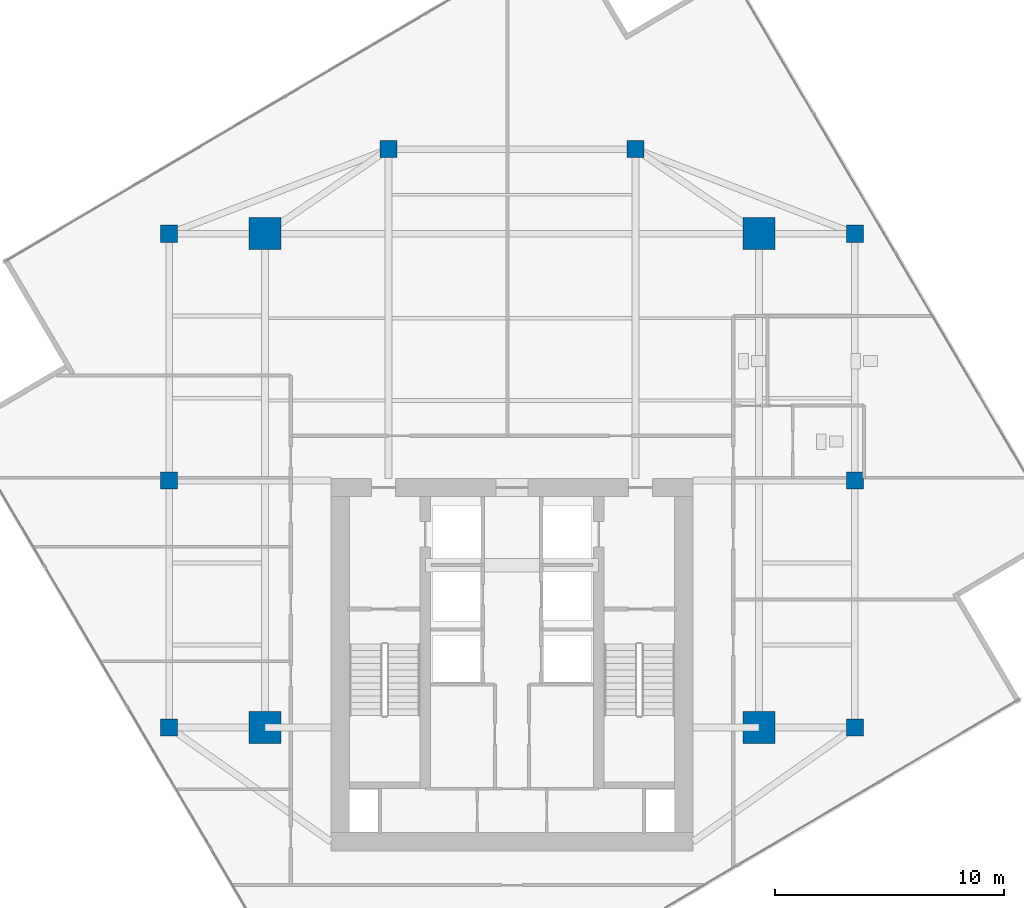
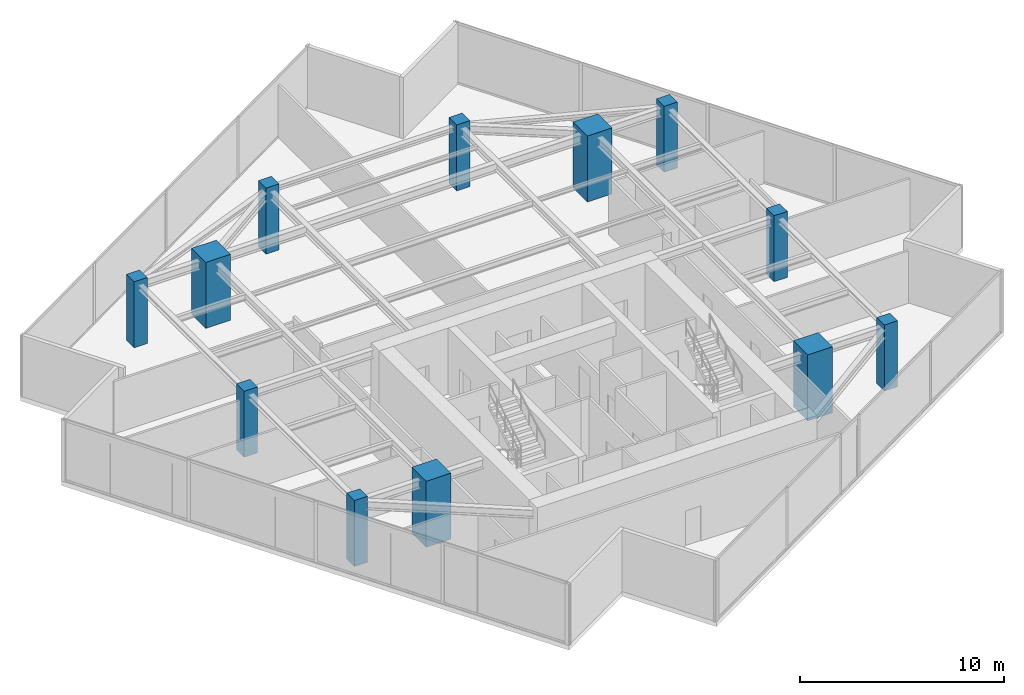
# One storey, part 1 of 20: 12 columns.
"""IFC4 building model written with IfcOpenShell, lengths in metres."""

from ifc_helpers import new_model, si_unit, direction, frame, origin, origin_2d, place, context, subcontext, project, spatial, rectangle, extrude, source, transform, mapped, material, material_profile, profile_set, type_object, type_shapes, element, save


model = new_model("IFC4")

# Units and contexts
model_context = context("Model", 3, precision=1e-05, world=origin(), true_north=direction((0.0, 1.0)))
body_context = subcontext(model_context, "Body", "Model", "MODEL_VIEW")
ifc_project = project(units=[si_unit("LENGTHUNIT", "METRE"), si_unit("AREAUNIT", "SQUARE_METRE"), si_unit("VOLUMEUNIT", "CUBIC_METRE"), si_unit("PLANEANGLEUNIT", "RADIAN"), si_unit("MASSUNIT", "GRAM", prefix="KILO")], contexts=[model_context])

# Site, building, storey
site_placement = place(None, origin())
site = spatial("IfcSite", under=ifc_project, at=site_placement, CompositionType="ELEMENT")
building_placement = place(site_placement, origin())
building = spatial("IfcBuilding", under=site, at=building_placement, Name="Krantzveldt Concourse Tower", CompositionType="ELEMENT")
storey_placement = place(building_placement, frame((0.0, 0.0, 299.0)))
storey = spatial("IfcBuildingStorey", under=building, at=storey_placement, Name="L73", CompositionType="ELEMENT", Elevation=299.0)

# Columns
ifc_material = material(Name="Concrete C50/60", Category="concrete")
ifc_material_profile_1 = material_profile(ifc_material, rectangle(XDim=1.39990234375, YDim=1.39990234375, at=origin_2d()), Name="Concrete C50/60", Category="concrete")
ifc_profile_set_1 = profile_set([ifc_material_profile_1], Name="Concrete C50/60 - RC 1400x1400")
column_type_1 = type_object("IfcColumnType", Name="COL-MC-1400", PredefinedType="USERDEFINED", material=ifc_profile_set_1)
shared_shape_1 = source(origin(), body_context, "Body", "SweptSolid", [
    extrude(rectangle(XDim=1.39990234375, YDim=1.39990234375, at=origin_2d()), origin(), (0.0, 0.0, 1.0), 3.949951171875),
])
type_shapes(column_type_1, [shared_shape_1])
for number, where, z_axis, x_axis, name in (
    (1, (25.199951171875, 15.89990234375, 0.0), (0.0, 0.0, 1.0), (1.0, 0.0, 0.0), "MC-SW-L73"),
    (2, (46.800048828125, 15.89990234375, 0.0), (0.0, 0.0, 1.0), (1.0, 0.0, 0.0), "MC-SE-L73"),
    (3, (46.800048828125, 37.5, 0.0), (0.0, 0.0, 1.0), (1.0, 0.0, 0.0), "MC-NE-L73"),
    (4, (25.199951171875, 37.5, 0.0), (0.0, 0.0, 1.0), (1.0, 0.0, 0.0), "MC-NW-L73"),
):
    element("IfcColumn", number, at=place(storey_placement, frame(where, z_axis=z_axis, x_axis=x_axis)), inside=storey, type_object=column_type_1, Name=name, ObjectType="MEGA COLUMN", PredefinedType="USERDEFINED", context=body_context, shape_type="MappedRepresentation", body=[
        mapped(shared_shape_1, transform((0.0, 0.0, 0.0), x_axis=(1.0, 0.0, 0.0), y_axis=(0.0, 1.0, 0.0), z_axis=(0.0, 0.0, 1.0), scale=1.0)),
    ])
ifc_material_profile_2 = material_profile(ifc_material, rectangle(XDim=0.75, YDim=0.75, at=origin_2d()), Name="Concrete C50/60", Category="concrete")
ifc_profile_set_2 = profile_set([ifc_material_profile_2], Name="Concrete C50/60 - RC 750x750")
column_type_2 = type_object("IfcColumnType", Name="COL-C-Z5", PredefinedType="COLUMN", material=ifc_profile_set_2)
shared_shape_2 = source(origin(), body_context, "Body", "SweptSolid", [
    extrude(rectangle(XDim=0.75, YDim=0.75, at=origin_2d()), origin(), (0.0, 0.0, 1.0), 3.949951171875),
])
type_shapes(column_type_2, [shared_shape_2])
for number, where, z_axis, x_axis, name in (
    (5, (21.0, 15.89990234375, 0.0), (0.0, 0.0, 1.0), (1.0, 0.0, 0.0), "PC-R01-L73"),
    (6, (21.0, 26.699951171875, 0.0), (0.0, 0.0, 1.0), (1.0, 0.0, 0.0), "PC-R02-L73"),
    (7, (21.0, 37.5, 0.0), (0.0, 0.0, 1.0), (1.0, 0.0, 0.0), "PC-R03-L73"),
    (8, (30.60009765625, 41.199951171875, 0.0), (0.0, 0.0, 1.0), (1.0, 0.0, 0.0), "PC-R04-L73"),
    (9, (41.39990234375, 41.199951171875, 0.0), (0.0, 0.0, 1.0), (1.0, 0.0, 0.0), "PC-R05-L73"),
    (10, (51.0, 37.5, 0.0), (0.0, 0.0, 1.0), (1.0, 0.0, 0.0), "PC-R06-L73"),
    (11, (51.0, 26.699951171875, 0.0), (0.0, 0.0, 1.0), (1.0, 0.0, 0.0), "PC-R07-L73"),
    (12, (51.0, 15.89990234375, 0.0), (0.0, 0.0, 1.0), (1.0, 0.0, 0.0), "PC-R08-L73"),
):
    element("IfcColumn", number, at=place(storey_placement, frame(where, z_axis=z_axis, x_axis=x_axis)), inside=storey, type_object=column_type_2, Name=name, PredefinedType="COLUMN", context=body_context, shape_type="MappedRepresentation", body=[
        mapped(shared_shape_2, transform((0.0, 0.0, 0.0), x_axis=(1.0, 0.0, 0.0), y_axis=(0.0, 1.0, 0.0), z_axis=(0.0, 0.0, 1.0), scale=1.0)),
    ])

save(model, "model.ifc")
